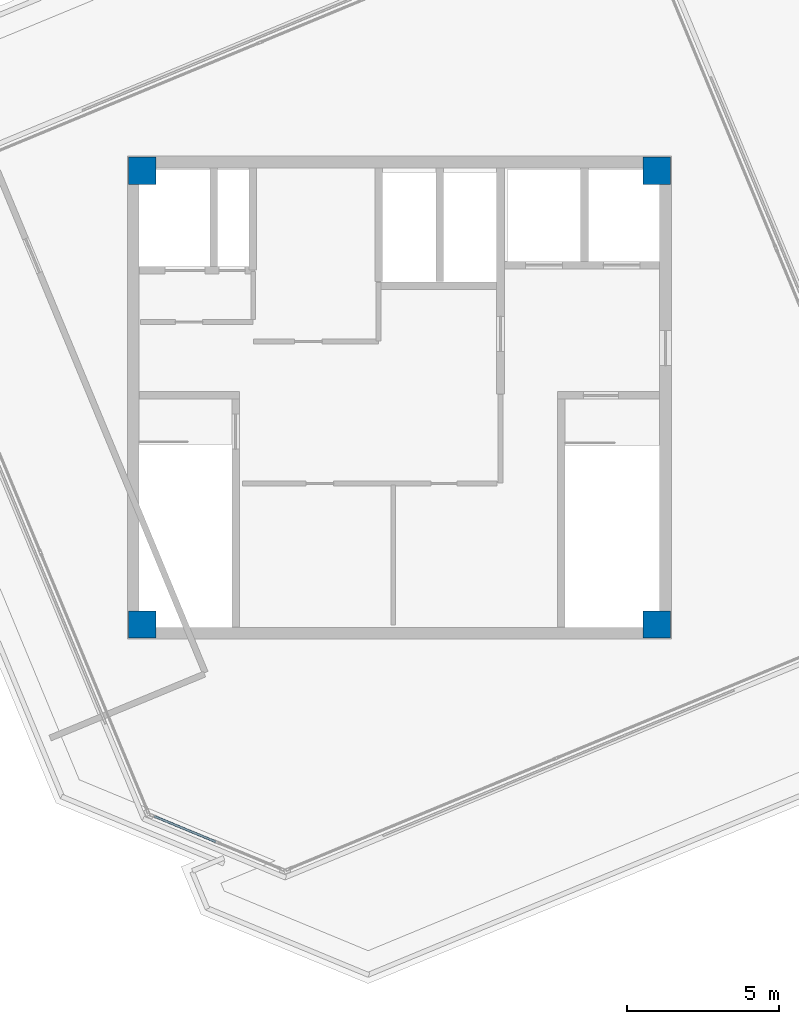
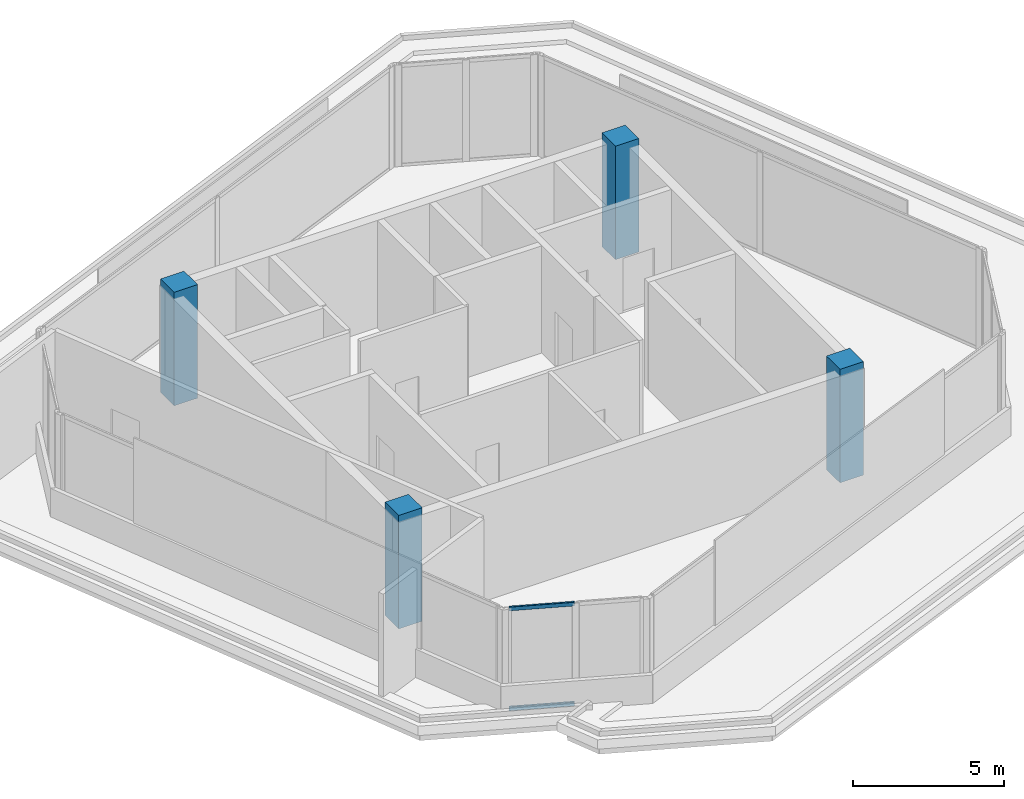
# One storey, part 1 of 11: 4 columns, 2 members, 1 element without a shape of its own.
"""IFC4 building model written with IfcOpenShell, lengths in metres."""

from ifc_helpers import new_model, si_unit, direction, frame, origin, origin_2d, place, context, subcontext, project, spatial, rectangle, hollow_rectangle, extrude, source, transform, mapped, material, material_profile, profile_set, type_object, element, aggregate, save


model = new_model("IFC4")

# Units and contexts
model_context = context("Model", 3, precision=1e-05, world=origin(), true_north=direction((0.0, 1.0)))
body_context = subcontext(model_context, "Body", "Model", "MODEL_VIEW")
ifc_project = project(units=[si_unit("LENGTHUNIT", "METRE"), si_unit("AREAUNIT", "SQUARE_METRE"), si_unit("VOLUMEUNIT", "CUBIC_METRE"), si_unit("PLANEANGLEUNIT", "RADIAN"), si_unit("MASSUNIT", "GRAM", prefix="KILO")], contexts=[model_context])

# Site, building, storey
site_placement = place(None, origin())
site = spatial("IfcSite", under=ifc_project, at=site_placement, CompositionType="ELEMENT")
building_placement = place(site_placement, origin())
building = spatial("IfcBuilding", under=site, at=building_placement, Name="Torre Montelarca", CompositionType="ELEMENT")
storey_placement = place(building_placement, frame((0.0, 0.0, 366.0)))
storey = spatial("IfcBuildingStorey", under=building, at=storey_placement, Name="L82", CompositionType="ELEMENT", Elevation=366.0)

# Columns
ifc_material_1 = material(Name="Concrete C55/67", Category="concrete")
ifc_material_profile_1 = material_profile(ifc_material_1, rectangle(XDim=0.89990234375, YDim=0.89990234375, at=origin_2d()), Name="RC900X900", Category="concrete")
ifc_profile_set_1 = profile_set([ifc_material_profile_1], Name="Concrete C55/67")
column_type = type_object("IfcColumnType", Name="COL-RC900", PredefinedType="COLUMN", material=ifc_profile_set_1)
shared_shape_1 = source(origin(), body_context, "Body", "SweptSolid", [
    extrude(rectangle(XDim=0.89990234375, YDim=0.89990234375, at=origin_2d()), origin(), (0.0, 0.0, 1.0), 4.5986328125),
])
for number, where, z_axis, x_axis, name in (
    (1, (9.550048828125, 24.550048828125, 0.000732421875), (0.0, 0.0, 1.0), (1.0, 0.0, 0.0), "L82 Plumb Core Corner Column 2D"),
    (2, (26.449951171875, 24.550048828125, 0.000732421875), (0.0, 0.0, 1.0), (1.0, 0.0, 0.0), "L82 Plumb Core Corner Column 4D"),
    (3, (9.550048828125, 39.449951171875, 0.000732421875), (0.0, 0.0, 1.0), (1.0, 0.0, 0.0), "L82 Plumb Core Corner Column 2F"),
    (4, (26.449951171875, 39.449951171875, 0.000732421875), (0.0, 0.0, 1.0), (1.0, 0.0, 0.0), "L82 Plumb Core Corner Column 4F"),
):
    element("IfcColumn", number, at=place(storey_placement, frame(where, z_axis=z_axis, x_axis=x_axis)), inside=storey, type_object=column_type, Name=name, PredefinedType="COLUMN", context=body_context, shape_type="MappedRepresentation", body=[
        mapped(shared_shape_1, transform((0.0, 0.0, 0.0), scale=1.0)),
    ])

# Curtain wall, members
ifc_material_2 = material(Name="Amber translucent laminated glass", Category="glass")
curtain_wall_type = type_object("IfcCurtainWallType", Name="CW-SYS-LANT", PredefinedType="USERDEFINED", material=ifc_material_2)
curtain_wall_placement = place(storey_placement, origin())
curtain_wall = element("IfcCurtainWall", 5, at=curtain_wall_placement, inside=storey, type_object=curtain_wall_type, Name="L82 Curtain Wall Run CW-T3-L82-E02-B1", ObjectType="TRANSLUCENT LANTERN", PredefinedType="USERDEFINED")
ifc_material_3 = material(Name="Anodised aluminium AA 6063-T6", Category="aluminium")
ifc_material_profile_2 = material_profile(ifc_material_3, hollow_rectangle(XDim=0.074951171875, YDim=0.159912109375, WallThickness=0.0048828125, InnerFilletRadius=0.0048828125, OuterFilletRadius=0.010009765625, at=origin_2d()), Name="ALU75X160X5", Category="aluminium")
ifc_profile_set_2 = profile_set([ifc_material_profile_2], Name="Anodised aluminium AA 6063-T6")
member_type = type_object("IfcMemberType", Name="CWT-ALU160", PredefinedType="USERDEFINED", material=ifc_profile_set_2)
shared_shape_2 = source(origin(), body_context, "Body", "SweptSolid", [
    extrude(hollow_rectangle(XDim=0.074951171875, YDim=0.159912109375, WallThickness=0.0048828125, InnerFilletRadius=0.0048828125, OuterFilletRadius=0.010009765625, at=origin_2d()), origin(), (0.0, 0.0, 1.0), 2.18896484375),
])
member_1_placement = place(storey_placement, frame((9.947998046875, 18.250732421875, 0.03759765625), z_axis=(0.923893141529, -0.382650575638, 0.0), x_axis=(0.382650575638, 0.923893141529, 0.0)))
member_1 = element("IfcMember", 6, at=member_1_placement, type_object=member_type, Name="CW transom 1.1", ObjectType="TRANSOM", PredefinedType="USERDEFINED", context=body_context, shape_type="MappedRepresentation", body=[
    mapped(shared_shape_2, transform((0.0, 0.0, 0.0), scale=1.0)),
])
member_2_placement = place(storey_placement, frame((9.947998046875, 18.250732421875, 4.08251953125), z_axis=(0.923893141529, -0.382650575638, 0.0), x_axis=(0.382650575638, 0.923893141529, 0.0)))
member_2 = element("IfcMember", 7, at=member_2_placement, type_object=member_type, Name="CW transom 1.2", ObjectType="TRANSOM", PredefinedType="USERDEFINED", context=body_context, shape_type="MappedRepresentation", body=[
    mapped(shared_shape_2, transform((0.0, 0.0, 0.0), scale=1.0)),
])
aggregate(curtain_wall, [member_1, member_2])

save(model, "model.ifc")
